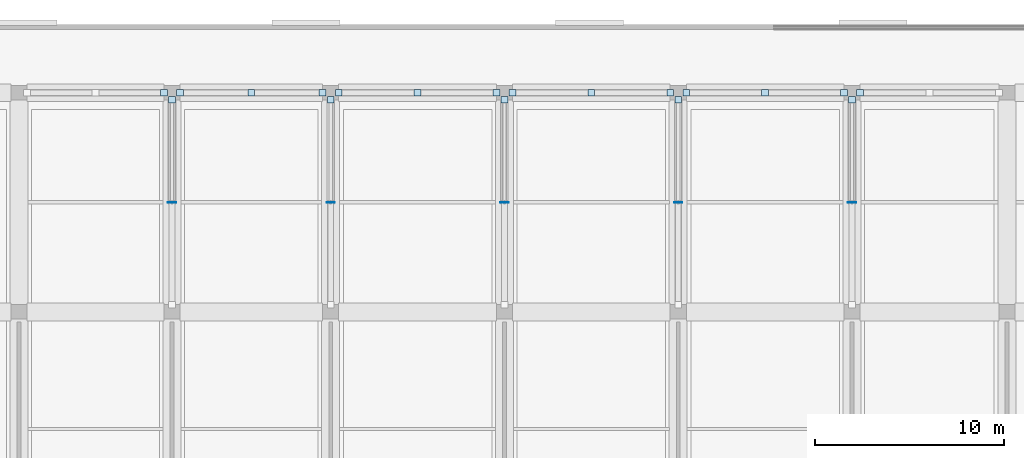
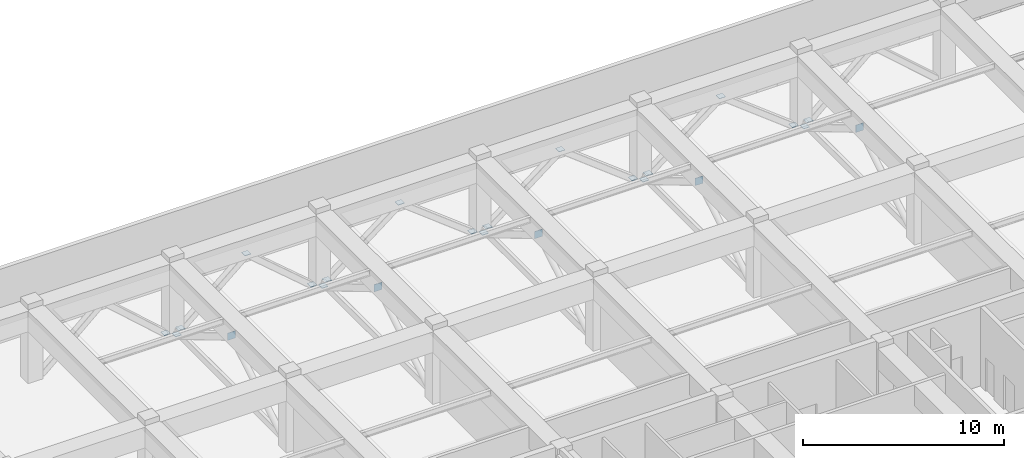
# One storey, part 3 of 11: 24 plates.
"""IFC4 building model written with IfcOpenShell, lengths in metres."""

from ifc_helpers import new_model, si_unit, direction, frame, origin, origin_2d, place, context, subcontext, project, spatial, rectangle, extrude, material, layer, layer_set, type_object, element, save


model = new_model("IFC4")

# Units and contexts
model_context = context("Model", 3, precision=1e-05, world=origin(), true_north=direction((0.0, 1.0)))
body_context = subcontext(model_context, "Body", "Model", "MODEL_VIEW")
ifc_project = project(units=[si_unit("LENGTHUNIT", "METRE"), si_unit("AREAUNIT", "SQUARE_METRE"), si_unit("VOLUMEUNIT", "CUBIC_METRE"), si_unit("PLANEANGLEUNIT", "RADIAN"), si_unit("MASSUNIT", "GRAM", prefix="KILO")], contexts=[model_context])

# Site, building, storey
site_placement = place(None, origin())
site = spatial("IfcSite", under=ifc_project, at=site_placement, CompositionType="ELEMENT")
building_placement = place(site_placement, origin())
building = spatial("IfcBuilding", under=site, at=building_placement, Name="Korimba Cascade Residences", CompositionType="ELEMENT")
storey_placement = place(building_placement, frame((0.0, 0.0, 223.85009765625)))
storey = spatial("IfcBuildingStorey", under=building, at=storey_placement, Name="L65", CompositionType="ELEMENT", Elevation=223.85009765625)

# Plates
ifc_material = material(Name="Steel S460", Category="steel")
ifc_layer = layer(ifc_material, 0.028076171875)
ifc_layer_set = layer_set([ifc_layer], Name="Steel S460")
plate_type = type_object("IfcPlateType", Name="PLT-ENDCAP-28", PredefinedType="USERDEFINED", material=ifc_layer_set)
for number, where, z_axis, x_axis, name in (
    (1, (76.10009765625, 85.39990234375, 3.010009765625), (0.0, 0.0, 1.0), (1.0, 0.0, 0.0), "L65 Outrigger Node Plate ON1 1"),
    (2, (84.5, 85.39990234375, 3.010009765625), (0.0, 0.0, 1.0), (1.0, 0.0, 0.0), "L65 Outrigger Node Plate ON1 2"),
    (3, (93.699951171875, 85.39990234375, 3.010009765625), (0.0, 0.0, 1.0), (1.0, 0.0, 0.0), "L65 Outrigger Node Plate ON1 3"),
    (4, (102.89990234375, 85.39990234375, 3.010009765625), (0.0, 0.0, 1.0), (1.0, 0.0, 0.0), "L65 Outrigger Node Plate ON1 4"),
    (5, (112.10009765625, 85.39990234375, 3.010009765625), (0.0, 0.0, 1.0), (1.0, 0.0, 0.0), "L65 Outrigger Node Plate ON1 5"),
):
    element("IfcPlate", number, at=place(storey_placement, frame(where, z_axis=z_axis, x_axis=x_axis)), inside=storey, type_object=plate_type, Name=name, ObjectType="CAP PLATE", PredefinedType="USERDEFINED", context=body_context, shape_type="SweptSolid", body=[
        extrude(rectangle(XDim=0.43994140625, YDim=0.028076171875, at=origin_2d()), origin(), (0.0, 0.0, 1.0), 0.43994140625),
    ])
for number, where, z_axis, x_axis, name in (
    (6, (76.10009765625, 90.824951171875, 0.005859375), (0.0, 0.0, 1.0), (1.0, 0.0, 0.0), "L65 Brace Welded End Connection Plate 159"),
    (7, (84.5, 90.824951171875, 0.005859375), (0.0, 0.0, 1.0), (1.0, 0.0, 0.0), "L65 Brace Welded End Connection Plate 161"),
    (8, (93.699951171875, 90.824951171875, 0.005859375), (0.0, 0.0, 1.0), (1.0, 0.0, 0.0), "L65 Brace Welded End Connection Plate 163"),
    (9, (102.89990234375, 90.824951171875, 0.005859375), (0.0, 0.0, 1.0), (1.0, 0.0, 0.0), "L65 Brace Welded End Connection Plate 165"),
    (10, (112.10009765625, 90.824951171875, 0.005859375), (0.0, 0.0, 1.0), (1.0, 0.0, 0.0), "L65 Brace Welded End Connection Plate 167"),
    (11, (75.675048828125, 91.199951171875, 0.005859375), (0.0, 0.0, 1.0), (1.0, 0.0, 0.0), "L65 Brace Welded End Connection Plate 170"),
    (12, (76.52490234375, 91.199951171875, 0.005859375), (0.0, 0.0, 1.0), (1.0, 0.0, 0.0), "L65 Brace Welded End Connection Plate 171"),
    (13, (80.300048828125, 91.199951171875, 3.2158203125), (0.0, 0.0, 1.0), (1.0, 0.0, 0.0), "L65 Brace Welded End Connection Plate 172"),
    (14, (84.074951171875, 91.199951171875, 0.005859375), (0.0, 0.0, 1.0), (1.0, 0.0, 0.0), "L65 Brace Welded End Connection Plate 173"),
    (15, (84.925048828125, 91.199951171875, 0.005859375), (0.0, 0.0, 1.0), (1.0, 0.0, 0.0), "L65 Brace Welded End Connection Plate 174"),
    (16, (89.10009765625, 91.199951171875, 3.2158203125), (0.0, 0.0, 1.0), (1.0, 0.0, 0.0), "L65 Brace Welded End Connection Plate 175"),
    (17, (93.27490234375, 91.199951171875, 0.005859375), (0.0, 0.0, 1.0), (1.0, 0.0, 0.0), "L65 Brace Welded End Connection Plate 176"),
    (18, (94.125, 91.199951171875, 0.005859375), (0.0, 0.0, 1.0), (1.0, 0.0, 0.0), "L65 Brace Welded End Connection Plate 177"),
    (19, (98.300048828125, 91.199951171875, 3.2158203125), (0.0, 0.0, 1.0), (1.0, 0.0, 0.0), "L65 Brace Welded End Connection Plate 178"),
    (20, (102.47509765625, 91.199951171875, 0.005859375), (0.0, 0.0, 1.0), (1.0, 0.0, 0.0), "L65 Brace Welded End Connection Plate 179"),
    (21, (103.324951171875, 91.199951171875, 0.005859375), (0.0, 0.0, 1.0), (1.0, 0.0, 0.0), "L65 Brace Welded End Connection Plate 180"),
    (22, (107.5, 91.199951171875, 3.2158203125), (0.0, 0.0, 1.0), (1.0, 0.0, 0.0), "L65 Brace Welded End Connection Plate 181"),
    (23, (111.675048828125, 91.199951171875, 0.005859375), (0.0, 0.0, 1.0), (1.0, 0.0, 0.0), "L65 Brace Welded End Connection Plate 182"),
    (24, (112.52490234375, 91.199951171875, 0.005859375), (0.0, 0.0, 1.0), (1.0, 0.0, 0.0), "L65 Brace Welded End Connection Plate 183"),
):
    element("IfcPlate", number, at=place(storey_placement, frame(where, z_axis=z_axis, x_axis=x_axis)), inside=storey, type_object=plate_type, Name=name, ObjectType="CAP PLATE", PredefinedType="USERDEFINED", context=body_context, shape_type="SweptSolid", body=[
        extrude(rectangle(XDim=0.360107421875, YDim=0.360107421875, at=origin_2d()), origin(), (0.0, 0.0, 1.0), 0.028076171875),
    ])

save(model, "model.ifc")
